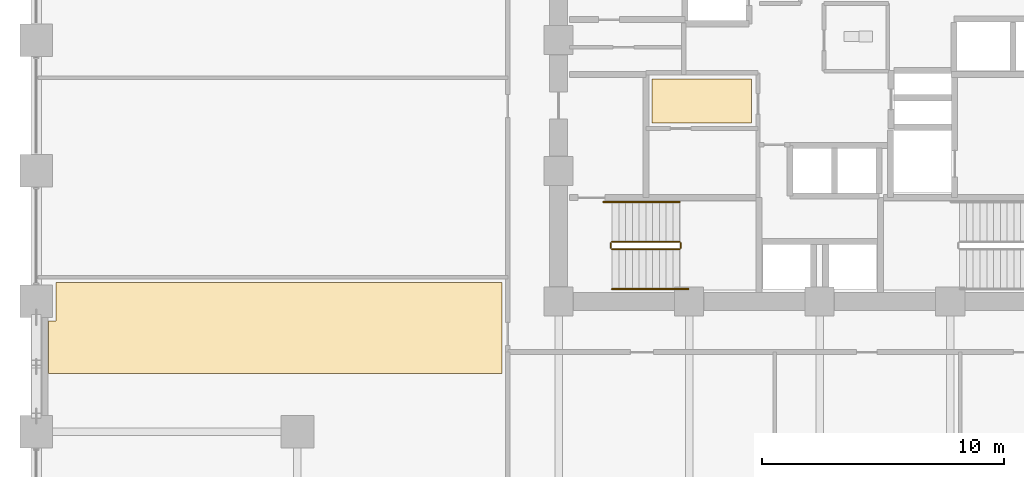
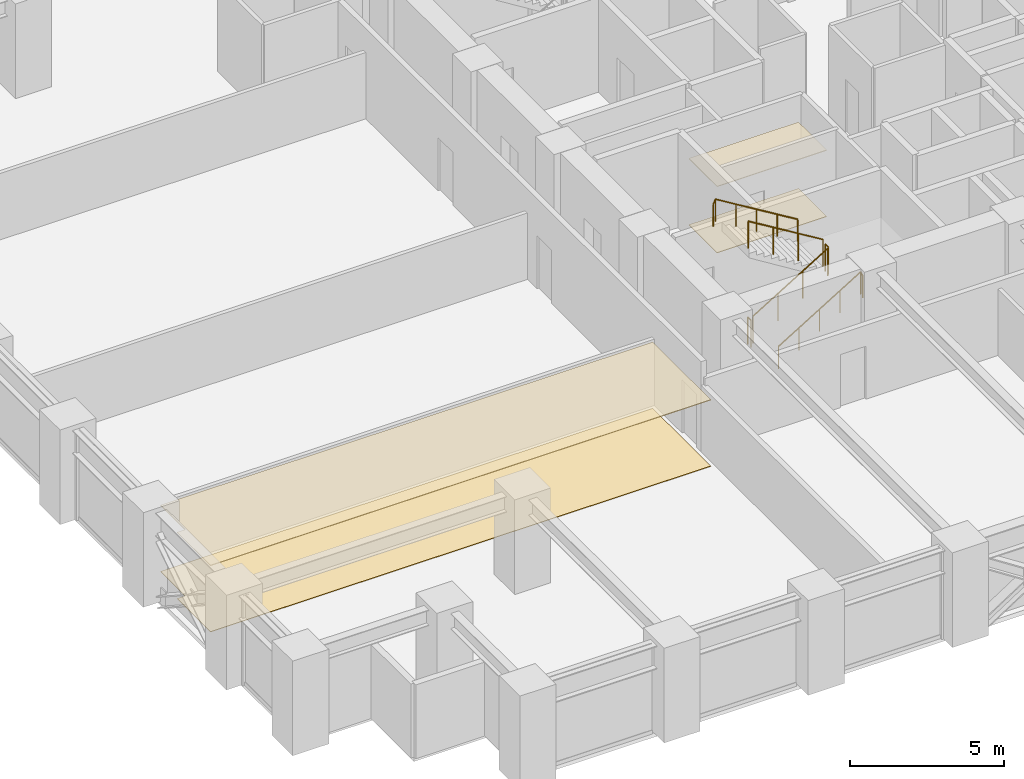
# One storey, part 23 of 25: 6 railings, 4 coverings.
"""IFC4 building model written with IfcOpenShell, lengths in metres."""

import ifcopenshell
import ifcopenshell.guid

model = None  # the IFC model being written
_history = None  # IfcOwnerHistory: only IFC2X3 demands one
_inside = {}  # id of a spatial element -> (the spatial element, [elements in it])
_under = {}  # id of a project, library or spatial element -> (it, [spatial elements below it])
_declared = {}  # id of a project -> (the project, [libraries it declares])
_typed = {}  # id of a type object -> (the type object, [elements of that type])
_made_of = {}  # id of a material, layer set ... -> (it, [elements and type objects made of it])


def new_model(schema):
    """Start an empty IFC model of exactly this schema.

    Asked for "IFC4X3", IfcOpenShell would pick the latest addendum, in which some entities
    have other attributes; the version numbers below select the first issue.
    IFC2X3 requires an IfcOwnerHistory on every rooted entity: one is made here for all.
    """
    global model, _history
    if schema == "IFC4X3":
        model = ifcopenshell.file(schema_version=(4, 3, 0, 0))
    else:
        model = ifcopenshell.file(schema=schema)
    _inside.clear()
    _under.clear()
    _declared.clear()
    _typed.clear()
    _made_of.clear()
    _history = None
    if model.schema == "IFC2X3":
        org = make("IfcOrganization", Name="unknown")
        user = make(
            "IfcPersonAndOrganization",
            ThePerson=make("IfcPerson", FamilyName="unknown"),
            TheOrganization=org,
        )
        app = make(
            "IfcApplication",
            ApplicationDeveloper=org,
            Version="unknown",
            ApplicationFullName="unknown",
            ApplicationIdentifier="unknown",
        )
        _history = make(
            "IfcOwnerHistory",
            OwningUser=user,
            OwningApplication=app,
            ChangeAction="ADDED",
            CreationDate=0,
        )
    return model


def make(cls, **values):
    """One entity of the class cls with the attributes given. An attribute that is None is left unset."""
    return model.create_entity(
        cls, **{name: value for name, value in values.items() if value is not None}
    )


def rooted(cls, **values):
    """An entity with a GlobalId (a new one), such as an element, a storey or a relation."""
    return make(cls, GlobalId=ifcopenshell.guid.new(), OwnerHistory=_history, **values)


def si_unit(unit_type, name, prefix=None):
    """IfcSIUnit, for example si_unit("LENGTHUNIT", "METRE", prefix="MILLI")."""
    return make("IfcSIUnit", UnitType=unit_type, Prefix=prefix, Name=name)


def assignment(units):
    """IfcUnitAssignment: the units of a project."""
    return None if units is None else make("IfcUnitAssignment", Units=units)


def point(xyz):
    """IfcCartesianPoint."""
    return None if xyz is None else make("IfcCartesianPoint", Coordinates=xyz)


def direction(xyz):
    """IfcDirection."""
    return None if xyz is None else make("IfcDirection", DirectionRatios=xyz)


def frame(location, z_axis=None, x_axis=None):
    """IfcAxis2Placement3D, a coordinate frame: its origin and axes. An axis left out is left unset."""
    return make(
        "IfcAxis2Placement3D",
        Location=point(location),
        Axis=direction(z_axis),
        RefDirection=direction(x_axis),
    )


def frame_2d(location, x_axis=None):
    """IfcAxis2Placement2D, a coordinate frame in the plane: its origin and x axis."""
    return make(
        "IfcAxis2Placement2D", Location=point(location), RefDirection=direction(x_axis)
    )


def origin():
    """The frame at (0, 0, 0) with its axes left unset."""
    return frame((0.0, 0.0, 0.0))


def origin_2d():
    """The frame at (0, 0) in the plane with its x axis left unset."""
    return frame_2d((0.0, 0.0))


def place(relative_to, where):
    """IfcLocalPlacement: puts the frame where relative to a parent placement (None: the world)."""
    return make(
        "IfcLocalPlacement", PlacementRelTo=relative_to, RelativePlacement=where
    )


def context(
    kind, dimensions, precision=None, world=None, true_north=None, identifier=None
):
    """IfcGeometricRepresentationContext, for example the 3D "Model" context."""
    return make(
        "IfcGeometricRepresentationContext",
        ContextIdentifier=identifier,
        ContextType=kind,
        CoordinateSpaceDimension=dimensions,
        Precision=precision,
        WorldCoordinateSystem=world,
        TrueNorth=true_north,
    )


def subcontext(parent, identifier, kind, view, scale=None):
    """IfcGeometricRepresentationSubContext, for example "Body" below "Model"."""
    return make(
        "IfcGeometricRepresentationSubContext",
        ContextIdentifier=identifier,
        ContextType=kind,
        ParentContext=parent,
        TargetScale=scale,
        TargetView=view,
    )


def project(units=None, contexts=None):
    """IfcProject with its units and contexts."""
    return rooted(
        "IfcProject",
        Name="project",
        RepresentationContexts=contexts,
        UnitsInContext=assignment(units),
    )


def spatial(cls, under=None, at=None, **own):
    """A site, building, storey or space (cls), placed at a placement, below another one or the project."""
    s = rooted(cls, ObjectPlacement=at, **own)
    if under is not None:
        _under.setdefault(under.id(), (under, []))[1].append(s)
    return s


def polyline(points):
    """IfcPolyline through the points."""
    return make("IfcPolyline", Points=[point(p) for p in points])


def profile(cls, at=None, kind="AREA", **sizes):
    """A parametric profile (cls). Its sizes go by their IFC names, for example OverallWidth=200.0."""
    return make(cls, ProfileType=kind, Position=at, **sizes)


def circle(**sizes):
    """IfcCircleProfileDef."""
    return profile("IfcCircleProfileDef", **sizes)


def outline(outer, holes=None, kind="AREA"):
    """IfcArbitraryClosedProfileDef: a profile drawn as a closed curve; with holes, ...WithVoids."""
    if holes is None:
        return make("IfcArbitraryClosedProfileDef", ProfileType=kind, OuterCurve=outer)
    return make(
        "IfcArbitraryProfileDefWithVoids",
        ProfileType=kind,
        OuterCurve=outer,
        InnerCurves=holes,
    )


def extrude(swept, where, along, depth):
    """IfcExtrudedAreaSolid: the profile swept, set in the frame where, extruded along a direction by depth."""
    return make(
        "IfcExtrudedAreaSolid",
        SweptArea=swept,
        Position=where,
        ExtrudedDirection=direction(along),
        Depth=depth,
    )


def shape(context_of_items, identifier, shape_type, items):
    """IfcShapeRepresentation: the items that make up one representation, for example the "Body"."""
    return make(
        "IfcShapeRepresentation",
        ContextOfItems=context_of_items,
        RepresentationIdentifier=identifier,
        RepresentationType=shape_type,
        Items=items,
    )


def material(Name=None, Category=None):
    """IfcMaterial."""
    return make("IfcMaterial", Name=Name, Category=Category)


def layer(
    of_material, thickness, ventilated=None, Name=None, Category=None, Priority=None
):
    """IfcMaterialLayer: one layer of a wall or slab, of a material (None: an air gap)."""
    return make(
        "IfcMaterialLayer",
        Material=of_material,
        LayerThickness=thickness,
        IsVentilated=ventilated,
        Name=Name,
        Category=Category,
        Priority=Priority,
    )


def layer_set(layers, Name=None):
    """IfcMaterialLayerSet."""
    return make("IfcMaterialLayerSet", MaterialLayers=layers, LayerSetName=Name)


def made_of(thing, what):
    """Note that an element or type object is made of a material, layer set ...; save() writes the relation."""
    if what is not None:
        _made_of.setdefault(what.id(), (what, []))[1].append(thing)
    return thing


def type_object(cls, material=None, **own):
    """A type object (cls), such as IfcWallType, which elements share."""
    return made_of(rooted(cls, **own), material)


def element(
    cls,
    number,
    at=None,
    inside=None,
    cuts=None,
    type_object=None,
    material=None,
    context=None,
    identifier="Body",
    shape_type=None,
    held_by="IfcProductDefinitionShape",
    body=None,
    shapes=None,
    **own,
):
    """One element of the class cls, such as IfcWall. Its Tag is "e" and its number.

    at: its placement. inside: the storey or other place that contains it. cuts: it is an
    opening in that element (IfcRelVoidsElement). A single representation is given by context,
    identifier, shape_type and body (its items); several are given by shapes. held_by: the class
    of the entity that holds the representations. save() writes the other relations.
    """
    e = rooted(cls, Tag="e%d" % number, ObjectPlacement=at, **own)
    if body is not None:
        shapes = [shape(context, identifier, shape_type, body)]
    if shapes is not None:
        e.Representation = make(held_by, Representations=shapes)
    if inside is not None:
        _inside.setdefault(inside.id(), (inside, []))[1].append(e)
    if cuts is not None:
        rooted(
            "IfcRelVoidsElement", RelatingBuildingElement=cuts, RelatedOpeningElement=e
        )
    if type_object is not None:
        _typed.setdefault(type_object.id(), (type_object, []))[1].append(e)
    return made_of(e, material)


def aggregate(whole, parts):
    """IfcRelAggregates: a whole, such as a stair, and the parts it consists of."""
    return rooted("IfcRelAggregates", RelatingObject=whole, RelatedObjects=parts)


def save(model, path):
    """Write the relations noted so far, then the file.

    IfcRelAggregates (storeys below a building ...), IfcRelContainedInSpatialStructure (elements
    in a storey), IfcRelDefinesByType, IfcRelAssociatesMaterial and IfcRelDeclares: one each for
    every whole, place, type object, material and project.
    """
    for whole, parts in _under.values():
        aggregate(whole, parts)
    for where, things in _inside.values():
        rooted(
            "IfcRelContainedInSpatialStructure",
            RelatedElements=things,
            RelatingStructure=where,
        )
    for kind, things in _typed.values():
        rooted("IfcRelDefinesByType", RelatedObjects=things, RelatingType=kind)
    for what, things in _made_of.values():
        rooted("IfcRelAssociatesMaterial", RelatedObjects=things, RelatingMaterial=what)
    for by, libraries in _declared.values():
        rooted("IfcRelDeclares", RelatingContext=by, RelatedDefinitions=libraries)
    model.write(path)


model = new_model("IFC4")

# Units and contexts
model_context = context("Model", 3, precision=1e-05, world=origin(), true_north=direction((0.0, 1.0)))
body_context = subcontext(model_context, "Body", "Model", "MODEL_VIEW")
ifc_project = project(units=[si_unit("LENGTHUNIT", "METRE"), si_unit("AREAUNIT", "SQUARE_METRE"), si_unit("VOLUMEUNIT", "CUBIC_METRE"), si_unit("PLANEANGLEUNIT", "RADIAN"), si_unit("MASSUNIT", "GRAM", prefix="KILO")], contexts=[model_context])

# Site, building, storey
site_placement = place(None, origin())
site = spatial("IfcSite", under=ifc_project, at=site_placement, CompositionType="ELEMENT")
building_placement = place(site_placement, origin())
building = spatial("IfcBuilding", under=site, at=building_placement, Name="Surkhivell Harbour Commons", CompositionType="ELEMENT")
storey_placement = place(building_placement, frame((0.0, 0.0, 48.75)))
storey = spatial("IfcBuildingStorey", under=building, at=storey_placement, Name="L12", CompositionType="ELEMENT", Elevation=48.75)

# Coverings
ifc_material_1 = material(Name="Perforated acoustic mineral-fibre ceiling tile", Category="other")
ifc_layer_1 = layer(ifc_material_1, 0.02490234375)
ifc_layer_set_1 = layer_set([ifc_layer_1], Name="Perforated acoustic mineral-fibre ceiling tile")
covering_type_1 = type_object("IfcCoveringType", Name="COV-CEIL-AC", PredefinedType="CEILING", material=ifc_layer_set_1)
covering_1_placement = place(storey_placement, frame((0.0, 0.0, 2.6240234375)))
element("IfcCovering", 1, at=covering_1_placement, inside=storey, type_object=covering_type_1, Name="L12 Suspended Acoustic Ceiling 1", PredefinedType="CEILING", context=body_context, shape_type="SweptSolid", body=[
    extrude(outline(polyline([(-6.929931640625, -3.429931640625), (-2.820068359375, -3.429931640625), (-2.820068359375, -1.60009765625), (-6.929931640625, -1.60009765625), (-6.929931640625, -3.429931640625)])), origin(), (0.0, 0.0, 1.0), 0.02490234375),
])
ifc_material_2 = material(Name="Moisture-resistant gypsum acoustic ceiling board", Category="other")
ifc_layer_2 = layer(ifc_material_2, 0.030029296875)
ifc_layer_set_2 = layer_set([ifc_layer_2], Name="Moisture-resistant gypsum acoustic ceiling board")
covering_type_2 = type_object("IfcCoveringType", Name="COV-CEIL-GYP", PredefinedType="CEILING", material=ifc_layer_set_2)
covering_2_placement = place(storey_placement, frame((0.0, 0.0, 2.618896484375)))
element("IfcCovering", 2, at=covering_2_placement, inside=storey, type_object=covering_type_2, Name="L12 Suspended Acoustic Ceiling 2", PredefinedType="CEILING", context=body_context, shape_type="SweptSolid", body=[
    extrude(outline(polyline([(-31.5849609375, -10.014892578125), (-31.5849609375, -11.614990234375), (-31.889892578125, -11.614990234375), (-31.889892578125, -13.780029296875), (-13.139892578125, -13.780029296875), (-13.139892578125, -10.014892578125), (-31.5849609375, -10.014892578125)])), origin(), (0.0, 0.0, 1.0), 0.030029296875),
])
ifc_material_3 = material(Name="Engineered acoustic oak timber flooring", Category="wood")
ifc_layer_3 = layer(ifc_material_3, 0.02001953125)
ifc_layer_set_3 = layer_set([ifc_layer_3], Name="Engineered acoustic oak timber flooring")
covering_type_3 = type_object("IfcCoveringType", Name="COV-FLR-TIM", PredefinedType="FLOORING", material=ifc_layer_set_3)
covering_3_placement = place(storey_placement, origin())
element("IfcCovering", 3, at=covering_3_placement, inside=storey, type_object=covering_type_3, Name="L12 Interior Floor Finish 1", PredefinedType="FLOORING", context=body_context, shape_type="SweptSolid", body=[
    extrude(outline(polyline([(-6.929931640625, -3.429931640625), (-2.820068359375, -3.429931640625), (-2.820068359375, -1.60009765625), (-6.929931640625, -1.60009765625), (-6.929931640625, -3.429931640625)])), origin(), (0.0, 0.0, 1.0), 0.02001953125),
])
covering_4_placement = place(storey_placement, origin())
element("IfcCovering", 4, at=covering_4_placement, inside=storey, type_object=covering_type_3, Name="L12 Interior Floor Finish 2", PredefinedType="FLOORING", context=body_context, shape_type="SweptSolid", body=[
    extrude(outline(polyline([(-31.5849609375, -10.014892578125), (-31.5849609375, -11.614990234375), (-31.889892578125, -11.614990234375), (-31.889892578125, -13.780029296875), (-13.139892578125, -13.780029296875), (-13.139892578125, -10.014892578125), (-31.5849609375, -10.014892578125)])), origin(), (0.0, 0.0, 1.0), 0.02001953125),
])

# Railings
ifc_material_4 = material(Name="Galvanised and painted steel S355 guard rail", Category="steel")
railing_type_1 = type_object("IfcRailingType", Name="RAL-ST-GRD1100", PredefinedType="GUARDRAIL", material=ifc_material_4)
railing_1_placement = place(storey_placement, frame((-8.590087890625, -8.639892578125, 0.17041015625)))
element("IfcRailing", 5, at=railing_1_placement, inside=storey, type_object=railing_type_1, Name="L12 ST3 stair guard 1", PredefinedType="GUARDRAIL", context=body_context, shape_type="SweptSolid", body=[
    extrude(circle(Radius=0.02392578125, at=origin_2d()), frame((0.0, 0.0, 1.076171875), z_axis=(0.854169791009, 0.0, 0.51999420009), x_axis=(0.0, 1.0, 0.0)), (0.0, 0.0, 1.0), 3.278076171875),
    extrude(circle(Radius=0.02099609375, at=origin_2d()), origin(), (0.0, 0.0, 1.0), 1.052001953125),
    extrude(circle(Radius=0.02099609375, at=origin_2d()), frame((0.933349609375, 0.0, 0.568115234375)), (0.0, 0.0, 1.0), 1.052001953125),
    extrude(circle(Radius=0.02099609375, at=origin_2d()), frame((1.86669921875, 0.0, 1.136474609375)), (0.0, 0.0, 1.0), 1.052001953125),
    extrude(circle(Radius=0.02099609375, at=origin_2d()), frame((2.800048828125, 0.0, 1.70458984375)), (0.0, 0.0, 1.0), 1.052001953125),
])
railing_2_placement = place(storey_placement, frame((-5.739990234375, -8.590087890625, 1.875)))
element("IfcRailing", 6, at=railing_2_placement, inside=storey, type_object=railing_type_1, Name="L12 ST3 stair guard 2", PredefinedType="GUARDRAIL", context=body_context, shape_type="SweptSolid", body=[
    extrude(circle(Radius=0.02392578125, at=origin_2d()), frame((0.0, 0.0, 1.076171875), z_axis=(0.0, 1.0, 0.0), x_axis=(-1.0, 0.0, 0.0)), (0.0, 0.0, 1.0), 0.2001953125),
    extrude(circle(Radius=0.02099609375, at=origin_2d()), origin(), (0.0, 0.0, 1.0), 1.052001953125),
    extrude(circle(Radius=0.02099609375, at=origin_2d()), frame((0.0, 0.2001953125, 0.0)), (0.0, 0.0, 1.0), 1.052001953125),
])
railing_3_placement = place(storey_placement, frame((-5.7900390625, -8.340087890625, 2.04541015625)))
element("IfcRailing", 7, at=railing_3_placement, inside=storey, type_object=railing_type_1, Name="L12 ST3 stair guard 3", PredefinedType="GUARDRAIL", context=body_context, shape_type="SweptSolid", body=[
    extrude(circle(Radius=0.02392578125, at=origin_2d()), frame((0.0, 0.0, 1.076171875), z_axis=(-0.854169791009, 0.0, 0.51999420009), x_axis=(0.0, -1.0, 0.0)), (0.0, 0.0, 1.0), 3.278076171875),
    extrude(circle(Radius=0.02099609375, at=origin_2d()), origin(), (0.0, 0.0, 1.0), 1.052001953125),
    extrude(circle(Radius=0.02099609375, at=origin_2d()), frame((-0.933349609375, 0.0, 0.568115234375)), (0.0, 0.0, 1.0), 1.052001953125),
    extrude(circle(Radius=0.02099609375, at=origin_2d()), frame((-1.86669921875, 0.0, 1.136474609375)), (0.0, 0.0, 1.0), 1.052001953125),
    extrude(circle(Radius=0.02099609375, at=origin_2d()), frame((-2.800048828125, 0.0, 1.70458984375)), (0.0, 0.0, 1.0), 1.052001953125),
])
railing_4_placement = place(storey_placement, frame((-8.639892578125, -8.590087890625, 0.0)))
element("IfcRailing", 8, at=railing_4_placement, inside=storey, type_object=railing_type_1, Name="L12 ST3 stair guard 4", PredefinedType="GUARDRAIL", context=body_context, shape_type="SweptSolid", body=[
    extrude(circle(Radius=0.02392578125, at=origin_2d()), frame((0.0, 0.0, 1.076171875), z_axis=(0.0, 1.0, 0.0), x_axis=(-1.0, 0.0, 0.0)), (0.0, 0.0, 1.0), 0.2001953125),
    extrude(circle(Radius=0.02099609375, at=origin_2d()), origin(), (0.0, 0.0, 1.0), 1.052001953125),
    extrude(circle(Radius=0.02099609375, at=origin_2d()), frame((0.0, 0.2001953125, 0.0)), (0.0, 0.0, 1.0), 1.052001953125),
])
ifc_material_5 = material(Name="Brushed stainless steel S355 handrail", Category="steel")
railing_type_2 = type_object("IfcRailingType", Name="RAL-ST-HND900", PredefinedType="HANDRAIL", material=ifc_material_5)
railing_5_placement = place(storey_placement, frame((-8.590087890625, -10.2900390625, 0.17041015625)))
element("IfcRailing", 9, at=railing_5_placement, inside=storey, type_object=railing_type_2, Name="L12 ST3 stair handrail 1", PredefinedType="HANDRAIL", context=body_context, shape_type="SweptSolid", body=[
    extrude(circle(Radius=0.02392578125, at=origin_2d()), frame((0.0, 0.0, 0.8759765625), z_axis=(0.854177636135, 0.0, 0.519981313056), x_axis=(0.0, 1.0, 0.0)), (0.0, 0.0, 1.0), 3.60595703125),
    extrude(circle(Radius=0.02392578125, at=origin_2d()), frame((3.080078125, 0.0, 2.7509765625), z_axis=(0.425297416671, 0.0, -0.905053648892), x_axis=(0.0, 1.0, 0.0)), (0.0, 0.0, 1.0), 0.188232421875),
    extrude(circle(Radius=0.02099609375, at=origin_2d()), origin(), (0.0, 0.0, 1.0), 0.851806640625),
    extrude(circle(Radius=0.02099609375, at=origin_2d()), frame((0.77001953125, 0.0, 0.46875)), (0.0, 0.0, 1.0), 0.851806640625),
    extrude(circle(Radius=0.02099609375, at=origin_2d()), frame((1.5400390625, 0.0, 0.9375)), (0.0, 0.0, 1.0), 0.851806640625),
    extrude(circle(Radius=0.02099609375, at=origin_2d()), frame((2.31005859375, 0.0, 1.40625)), (0.0, 0.0, 1.0), 0.851806640625),
    extrude(circle(Radius=0.02099609375, at=origin_2d()), frame((3.080078125, 0.0, 1.875)), (0.0, 0.0, 1.0), 0.851806640625),
    extrude(circle(Radius=0.02099609375, at=origin_2d()), frame((3.16015625, 0.0, 1.70458984375)), (0.0, 0.0, 1.0), 0.851806640625),
])
railing_6_placement = place(storey_placement, frame((-5.7900390625, -6.68994140625, 2.04541015625)))
element("IfcRailing", 10, at=railing_6_placement, inside=storey, type_object=railing_type_2, Name="L12 ST3 stair handrail 2", PredefinedType="HANDRAIL", context=body_context, shape_type="SweptSolid", body=[
    extrude(circle(Radius=0.02392578125, at=origin_2d()), frame((0.0, 0.0, 0.8759765625), z_axis=(-0.854177636135, 0.0, 0.519981313056), x_axis=(0.0, -1.0, 0.0)), (0.0, 0.0, 1.0), 3.60595703125),
    extrude(circle(Radius=0.02392578125, at=origin_2d()), frame((-3.080078125, 0.0, 2.7509765625), z_axis=(-0.424234432967, 0.0, -0.905552398199), x_axis=(0.0, -1.0, 0.0)), (0.0, 0.0, 1.0), 0.188232421875),
    extrude(circle(Radius=0.02099609375, at=origin_2d()), origin(), (0.0, 0.0, 1.0), 0.851806640625),
    extrude(circle(Radius=0.02099609375, at=origin_2d()), frame((-0.77001953125, 0.0, 0.46875)), (0.0, 0.0, 1.0), 0.851806640625),
    extrude(circle(Radius=0.02099609375, at=origin_2d()), frame((-1.5400390625, 0.0, 0.9375)), (0.0, 0.0, 1.0), 0.851806640625),
    extrude(circle(Radius=0.02099609375, at=origin_2d()), frame((-2.31005859375, 0.0, 1.40625)), (0.0, 0.0, 1.0), 0.851806640625),
    extrude(circle(Radius=0.02099609375, at=origin_2d()), frame((-3.080078125, 0.0, 1.875)), (0.0, 0.0, 1.0), 0.851806640625),
    extrude(circle(Radius=0.02099609375, at=origin_2d()), frame((-3.159912109375, 0.0, 1.70458984375)), (0.0, 0.0, 1.0), 0.851806640625),
])

save(model, "model.ifc")
